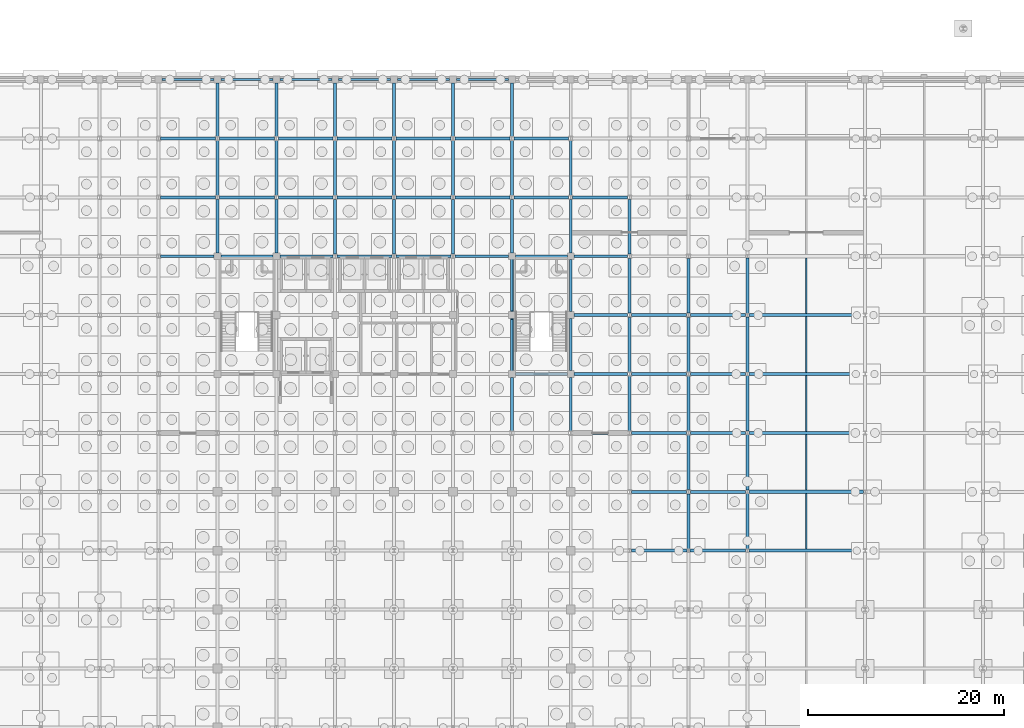
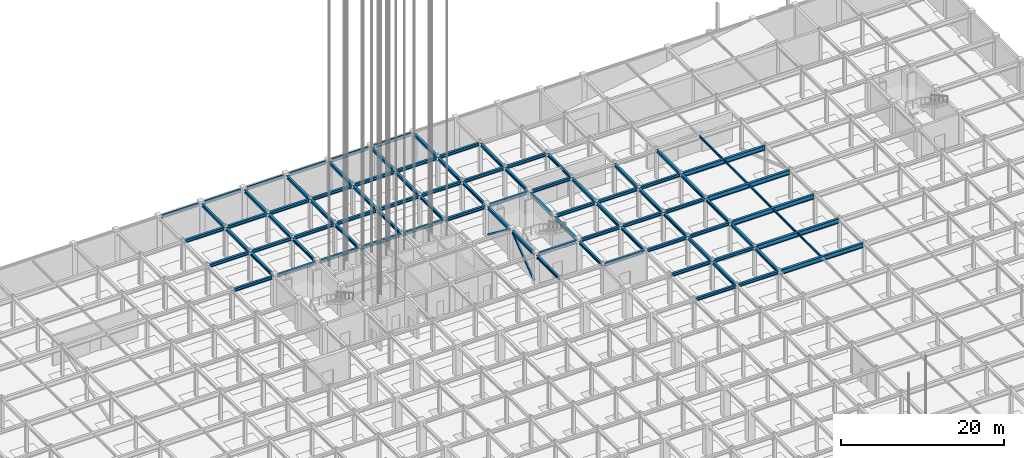
# One storey, part 39 of 69: 93 beams, 2 members.
"""IFC4 building model written with IfcOpenShell, lengths in metres."""

from ifc_helpers import new_model, si_unit, direction, frame, origin, origin_2d, place, context, subcontext, project, spatial, hollow_rectangle, i_section, extrude, material, material_profile, profile_set, type_object, element, save


model = new_model("IFC4")

# Units and contexts
model_context = context("Model", 3, precision=1e-05, world=origin(), true_north=direction((0.0, 1.0)))
body_context = subcontext(model_context, "Body", "Model", "MODEL_VIEW")
ifc_project = project(units=[si_unit("LENGTHUNIT", "METRE"), si_unit("AREAUNIT", "SQUARE_METRE"), si_unit("VOLUMEUNIT", "CUBIC_METRE"), si_unit("PLANEANGLEUNIT", "RADIAN"), si_unit("MASSUNIT", "GRAM", prefix="KILO")], contexts=[model_context])

# Site, building, storey
site_placement = place(None, origin())
site = spatial("IfcSite", under=ifc_project, at=site_placement, CompositionType="ELEMENT")
building_placement = place(site_placement, origin())
building = spatial("IfcBuilding", under=site, at=building_placement, Name="Zlatovratsky Civic Hall", CompositionType="ELEMENT")
storey_placement = place(building_placement, frame((0.0, 0.0, -4.800048828125)))
storey = spatial("IfcBuildingStorey", under=building, at=storey_placement, Name="B1", CompositionType="ELEMENT", Elevation=-4.800048828125)

# Beams
ifc_material = material(Name="Steel S355", Category="steel")
ifc_material_profile_1 = material_profile(ifc_material, i_section(OverallWidth=0.320068359375, OverallDepth=0.68310546875, WebThickness=0.012939453125, FlangeThickness=0.01904296875, FilletRadius=0.02587890625, at=origin_2d()), Name="70Sh1")
ifc_profile_set_1 = profile_set([ifc_material_profile_1], Name="Steel S355")
beam_type_1 = type_object("IfcBeamType", Name="Beam_HallGirder_70Sh1", PredefinedType="BEAM", material=ifc_profile_set_1)
for number, where, z_axis, x_axis, name in (
    (1, (120.175048828125, 66.0, 4.138427734375), (1.0, 0.0, 0.0), (0.0, 1.0, 0.0), "BM-0206"),
    (2, (120.175048828125, 72.0, 4.138427734375), (1.0, 0.0, 0.0), (0.0, 1.0, 0.0), "BM-0228"),
    (3, (120.175048828125, 78.0, 4.138427734375), (1.0, 0.0, 0.0), (0.0, 1.0, 0.0), "BM-0250"),
    (4, (120.175048828125, 84.0, 4.138427734375), (1.0, 0.0, 0.0), (0.0, 1.0, 0.0), "BM-0272"),
    (5, (120.175048828125, 90.0, 4.138427734375), (1.0, 0.0, 0.0), (0.0, 1.0, 0.0), "BM-0291"),
):
    element("IfcBeam", number, at=place(storey_placement, frame(where, z_axis=z_axis, x_axis=x_axis)), inside=storey, type_object=beam_type_1, Name=name, PredefinedType="BEAM", context=body_context, shape_type="SweptSolid", body=[
        extrude(i_section(OverallWidth=0.320068359375, OverallDepth=0.68310546875, WebThickness=0.012939453125, FlangeThickness=0.01904296875, FilletRadius=0.02587890625, at=origin_2d()), origin(), (0.0, 0.0, 1.0), 11.64990234375),
    ])
ifc_material_profile_2 = material_profile(ifc_material, i_section(OverallWidth=0.198974609375, OverallDepth=0.491943359375, WebThickness=0.0087890625, FlangeThickness=0.011962890625, FilletRadius=0.01611328125, at=origin_2d()), Name="50B1")
ifc_profile_set_2 = profile_set([ifc_material_profile_2], Name="Steel S355")
beam_type_2 = type_object("IfcBeamType", Name="Beam_Spandrel_50B1", PredefinedType="SPANDREL", material=ifc_profile_set_2)
for number, where, z_axis, x_axis, name in (
    (6, (60.35009765625, 114.0, 4.234130859375), (1.0, 0.0, 0.0), (0.0, 1.0, 0.0), "BM-0368"),
    (7, (66.35009765625, 114.0, 4.234130859375), (1.0, 0.0, 0.0), (0.0, 1.0, 0.0), "BM-0369"),
    (8, (72.35009765625, 114.0, 4.234130859375), (1.0, 0.0, 0.0), (0.0, 1.0, 0.0), "BM-0370"),
    (9, (78.35009765625, 114.0, 4.234130859375), (1.0, 0.0, 0.0), (0.0, 1.0, 0.0), "BM-0371"),
    (10, (84.35009765625, 114.0, 4.234130859375), (1.0, 0.0, 0.0), (0.0, 1.0, 0.0), "BM-0372"),
    (11, (90.35009765625, 114.0, 4.234130859375), (1.0, 0.0, 0.0), (0.0, 1.0, 0.0), "BM-0373"),
):
    element("IfcBeam", number, at=place(storey_placement, frame(where, z_axis=z_axis, x_axis=x_axis)), inside=storey, type_object=beam_type_2, Name=name, PredefinedType="SPANDREL", context=body_context, shape_type="SweptSolid", body=[
        extrude(i_section(OverallWidth=0.198974609375, OverallDepth=0.491943359375, WebThickness=0.0087890625, FlangeThickness=0.011962890625, FilletRadius=0.01611328125, at=origin_2d()), origin(), (0.0, 0.0, 1.0), 5.2998046875),
    ])
ifc_material_profile_3 = material_profile(ifc_material, i_section(OverallWidth=0.300048828125, OverallDepth=0.43994140625, WebThickness=0.010986328125, FlangeThickness=0.01806640625, FilletRadius=0.02197265625, at=origin_2d()), Name="45Sh1")
ifc_profile_set_3 = profile_set([ifc_material_profile_3], Name="Steel S355")
beam_type_3 = type_object("IfcBeamType", Name="Beam_TowerLow_45Sh1", PredefinedType="BEAM", material=ifc_profile_set_3)
for number, where, z_axis, x_axis, name in (
    (12, (108.175048828125, 66.0, 4.260009765625), (1.0, 0.0, 0.0), (0.0, 1.0, 0.0), "BM-0204"),
    (13, (114.175048828125, 66.0, 4.260009765625), (1.0, 0.0, 0.0), (0.0, 1.0, 0.0), "BM-0205"),
):
    element("IfcBeam", number, at=place(storey_placement, frame(where, z_axis=z_axis, x_axis=x_axis)), inside=storey, type_object=beam_type_3, Name=name, PredefinedType="BEAM", context=body_context, shape_type="SweptSolid", body=[
        extrude(i_section(OverallWidth=0.300048828125, OverallDepth=0.43994140625, WebThickness=0.010986328125, FlangeThickness=0.01806640625, FilletRadius=0.02197265625, at=origin_2d()), origin(), (0.0, 0.0, 1.0), 5.64990234375),
    ])
beam_1_placement = place(storey_placement, frame((108.20458984375, 72.0, 4.260009765625), z_axis=(1.0, 0.0, 0.0), x_axis=(0.0, 1.0, 0.0)))
element("IfcBeam", 14, at=beam_1_placement, inside=storey, type_object=beam_type_3, Name="BM-0226", PredefinedType="BEAM", context=body_context, shape_type="SweptSolid", body=[
    extrude(i_section(OverallWidth=0.300048828125, OverallDepth=0.43994140625, WebThickness=0.010986328125, FlangeThickness=0.01806640625, FilletRadius=0.02197265625, at=origin_2d()), origin(), (0.0, 0.0, 1.0), 5.5908203125),
])
beam_2_placement = place(storey_placement, frame((114.20458984375, 72.0, 4.260009765625), z_axis=(1.0, 0.0, 0.0), x_axis=(0.0, 1.0, 0.0)))
element("IfcBeam", 15, at=beam_2_placement, inside=storey, type_object=beam_type_3, Name="BM-0227", PredefinedType="BEAM", context=body_context, shape_type="SweptSolid", body=[
    extrude(i_section(OverallWidth=0.300048828125, OverallDepth=0.43994140625, WebThickness=0.010986328125, FlangeThickness=0.01806640625, FilletRadius=0.02197265625, at=origin_2d()), origin(), (0.0, 0.0, 1.0), 5.620361328125),
])
for number, where, z_axis, x_axis, name in (
    (16, (102.20458984375, 78.0, 4.260009765625), (1.0, 0.0, 0.0), (0.0, 1.0, 0.0), "BM-0247"),
    (17, (108.20458984375, 78.0, 4.260009765625), (1.0, 0.0, 0.0), (0.0, 1.0, 0.0), "BM-0248"),
):
    element("IfcBeam", number, at=place(storey_placement, frame(where, z_axis=z_axis, x_axis=x_axis)), inside=storey, type_object=beam_type_3, Name=name, PredefinedType="BEAM", context=body_context, shape_type="SweptSolid", body=[
        extrude(i_section(OverallWidth=0.300048828125, OverallDepth=0.43994140625, WebThickness=0.010986328125, FlangeThickness=0.01806640625, FilletRadius=0.02197265625, at=origin_2d()), origin(), (0.0, 0.0, 1.0), 5.5908203125),
    ])
beam_3_placement = place(storey_placement, frame((114.20458984375, 78.0, 4.260009765625), z_axis=(1.0, 0.0, 0.0), x_axis=(0.0, 1.0, 0.0)))
element("IfcBeam", 18, at=beam_3_placement, inside=storey, type_object=beam_type_3, Name="BM-0249", PredefinedType="BEAM", context=body_context, shape_type="SweptSolid", body=[
    extrude(i_section(OverallWidth=0.300048828125, OverallDepth=0.43994140625, WebThickness=0.010986328125, FlangeThickness=0.01806640625, FilletRadius=0.02197265625, at=origin_2d()), origin(), (0.0, 0.0, 1.0), 5.620361328125),
])
beam_4_placement = place(storey_placement, frame((96.35009765625, 84.0, 4.260009765625), z_axis=(1.0, 0.0, 0.0), x_axis=(0.0, 1.0, 0.0)))
element("IfcBeam", 19, at=beam_4_placement, inside=storey, type_object=beam_type_3, Name="BM-0268", PredefinedType="BEAM", context=body_context, shape_type="SweptSolid", body=[
    extrude(i_section(OverallWidth=0.300048828125, OverallDepth=0.43994140625, WebThickness=0.010986328125, FlangeThickness=0.01806640625, FilletRadius=0.02197265625, at=origin_2d()), origin(), (0.0, 0.0, 1.0), 5.2998046875),
])
beam_5_placement = place(storey_placement, frame((102.35009765625, 84.0, 4.260009765625), z_axis=(1.0, 0.0, 0.0), x_axis=(0.0, 1.0, 0.0)))
element("IfcBeam", 20, at=beam_5_placement, inside=storey, type_object=beam_type_3, Name="BM-0269", PredefinedType="BEAM", context=body_context, shape_type="SweptSolid", body=[
    extrude(i_section(OverallWidth=0.300048828125, OverallDepth=0.43994140625, WebThickness=0.010986328125, FlangeThickness=0.01806640625, FilletRadius=0.02197265625, at=origin_2d()), origin(), (0.0, 0.0, 1.0), 5.4453125),
])
beam_6_placement = place(storey_placement, frame((108.20458984375, 84.0, 4.260009765625), z_axis=(1.0, 0.0, 0.0), x_axis=(0.0, 1.0, 0.0)))
element("IfcBeam", 21, at=beam_6_placement, inside=storey, type_object=beam_type_3, Name="BM-0270", PredefinedType="BEAM", context=body_context, shape_type="SweptSolid", body=[
    extrude(i_section(OverallWidth=0.300048828125, OverallDepth=0.43994140625, WebThickness=0.010986328125, FlangeThickness=0.01806640625, FilletRadius=0.02197265625, at=origin_2d()), origin(), (0.0, 0.0, 1.0), 5.5908203125),
])
beam_7_placement = place(storey_placement, frame((114.20458984375, 84.0, 4.260009765625), z_axis=(1.0, 0.0, 0.0), x_axis=(0.0, 1.0, 0.0)))
element("IfcBeam", 22, at=beam_7_placement, inside=storey, type_object=beam_type_3, Name="BM-0271", PredefinedType="BEAM", context=body_context, shape_type="SweptSolid", body=[
    extrude(i_section(OverallWidth=0.300048828125, OverallDepth=0.43994140625, WebThickness=0.010986328125, FlangeThickness=0.01806640625, FilletRadius=0.02197265625, at=origin_2d()), origin(), (0.0, 0.0, 1.0), 5.620361328125),
])
beam_8_placement = place(storey_placement, frame((102.35009765625, 90.0, 4.260009765625), z_axis=(1.0, 0.0, 0.0), x_axis=(0.0, 1.0, 0.0)))
element("IfcBeam", 23, at=beam_8_placement, inside=storey, type_object=beam_type_3, Name="BM-0288", PredefinedType="BEAM", context=body_context, shape_type="SweptSolid", body=[
    extrude(i_section(OverallWidth=0.300048828125, OverallDepth=0.43994140625, WebThickness=0.010986328125, FlangeThickness=0.01806640625, FilletRadius=0.02197265625, at=origin_2d()), origin(), (0.0, 0.0, 1.0), 5.4453125),
])
beam_9_placement = place(storey_placement, frame((108.20458984375, 90.0, 4.260009765625), z_axis=(1.0, 0.0, 0.0), x_axis=(0.0, 1.0, 0.0)))
element("IfcBeam", 24, at=beam_9_placement, inside=storey, type_object=beam_type_3, Name="BM-0289", PredefinedType="BEAM", context=body_context, shape_type="SweptSolid", body=[
    extrude(i_section(OverallWidth=0.300048828125, OverallDepth=0.43994140625, WebThickness=0.010986328125, FlangeThickness=0.01806640625, FilletRadius=0.02197265625, at=origin_2d()), origin(), (0.0, 0.0, 1.0), 5.5908203125),
])
beam_10_placement = place(storey_placement, frame((114.20458984375, 90.0, 4.260009765625), z_axis=(1.0, 0.0, 0.0), x_axis=(0.0, 1.0, 0.0)))
element("IfcBeam", 25, at=beam_10_placement, inside=storey, type_object=beam_type_3, Name="BM-0290", PredefinedType="BEAM", context=body_context, shape_type="SweptSolid", body=[
    extrude(i_section(OverallWidth=0.300048828125, OverallDepth=0.43994140625, WebThickness=0.010986328125, FlangeThickness=0.01806640625, FilletRadius=0.02197265625, at=origin_2d()), origin(), (0.0, 0.0, 1.0), 5.620361328125),
])
beam_11_placement = place(storey_placement, frame((60.20458984375, 96.0, 4.260009765625), z_axis=(1.0, 0.0, 0.0), x_axis=(0.0, 1.0, 0.0)))
element("IfcBeam", 26, at=beam_11_placement, inside=storey, type_object=beam_type_3, Name="BM-0302", PredefinedType="BEAM", context=body_context, shape_type="SweptSolid", body=[
    extrude(i_section(OverallWidth=0.300048828125, OverallDepth=0.43994140625, WebThickness=0.010986328125, FlangeThickness=0.01806640625, FilletRadius=0.02197265625, at=origin_2d()), origin(), (0.0, 0.0, 1.0), 5.4453125),
])
beam_12_placement = place(storey_placement, frame((66.35009765625, 96.0, 4.260009765625), z_axis=(1.0, 0.0, 0.0), x_axis=(0.0, 1.0, 0.0)))
element("IfcBeam", 27, at=beam_12_placement, inside=storey, type_object=beam_type_3, Name="BM-0303", PredefinedType="BEAM", context=body_context, shape_type="SweptSolid", body=[
    extrude(i_section(OverallWidth=0.300048828125, OverallDepth=0.43994140625, WebThickness=0.010986328125, FlangeThickness=0.01806640625, FilletRadius=0.02197265625, at=origin_2d()), origin(), (0.0, 0.0, 1.0), 5.2998046875),
])
beam_13_placement = place(storey_placement, frame((72.35009765625, 96.0, 4.260009765625), z_axis=(1.0, 0.0, 0.0), x_axis=(0.0, 1.0, 0.0)))
element("IfcBeam", 28, at=beam_13_placement, inside=storey, type_object=beam_type_3, Name="BM-0304", PredefinedType="BEAM", context=body_context, shape_type="SweptSolid", body=[
    extrude(i_section(OverallWidth=0.300048828125, OverallDepth=0.43994140625, WebThickness=0.010986328125, FlangeThickness=0.01806640625, FilletRadius=0.02197265625, at=origin_2d()), origin(), (0.0, 0.0, 1.0), 5.4453125),
])
for number, where, z_axis, x_axis, name in (
    (29, (78.20458984375, 96.0, 4.260009765625), (1.0, 0.0, 0.0), (0.0, 1.0, 0.0), "BM-0305"),
    (30, (84.20458984375, 96.0, 4.260009765625), (1.0, 0.0, 0.0), (0.0, 1.0, 0.0), "BM-0306"),
):
    element("IfcBeam", number, at=place(storey_placement, frame(where, z_axis=z_axis, x_axis=x_axis)), inside=storey, type_object=beam_type_3, Name=name, PredefinedType="BEAM", context=body_context, shape_type="SweptSolid", body=[
        extrude(i_section(OverallWidth=0.300048828125, OverallDepth=0.43994140625, WebThickness=0.010986328125, FlangeThickness=0.01806640625, FilletRadius=0.02197265625, at=origin_2d()), origin(), (0.0, 0.0, 1.0), 5.5908203125),
    ])
beam_14_placement = place(storey_placement, frame((90.20458984375, 96.0, 4.260009765625), z_axis=(1.0, 0.0, 0.0), x_axis=(0.0, 1.0, 0.0)))
element("IfcBeam", 31, at=beam_14_placement, inside=storey, type_object=beam_type_3, Name="BM-0307", PredefinedType="BEAM", context=body_context, shape_type="SweptSolid", body=[
    extrude(i_section(OverallWidth=0.300048828125, OverallDepth=0.43994140625, WebThickness=0.010986328125, FlangeThickness=0.01806640625, FilletRadius=0.02197265625, at=origin_2d()), origin(), (0.0, 0.0, 1.0), 5.4453125),
])
beam_15_placement = place(storey_placement, frame((96.35009765625, 96.0, 4.260009765625), z_axis=(1.0, 0.0, 0.0), x_axis=(0.0, 1.0, 0.0)))
element("IfcBeam", 32, at=beam_15_placement, inside=storey, type_object=beam_type_3, Name="BM-0308", PredefinedType="BEAM", context=body_context, shape_type="SweptSolid", body=[
    extrude(i_section(OverallWidth=0.300048828125, OverallDepth=0.43994140625, WebThickness=0.010986328125, FlangeThickness=0.01806640625, FilletRadius=0.02197265625, at=origin_2d()), origin(), (0.0, 0.0, 1.0), 5.2998046875),
])
beam_16_placement = place(storey_placement, frame((102.35009765625, 96.0, 4.260009765625), z_axis=(1.0, 0.0, 0.0), x_axis=(0.0, 1.0, 0.0)))
element("IfcBeam", 33, at=beam_16_placement, inside=storey, type_object=beam_type_3, Name="BM-0309", PredefinedType="BEAM", context=body_context, shape_type="SweptSolid", body=[
    extrude(i_section(OverallWidth=0.300048828125, OverallDepth=0.43994140625, WebThickness=0.010986328125, FlangeThickness=0.01806640625, FilletRadius=0.02197265625, at=origin_2d()), origin(), (0.0, 0.0, 1.0), 5.4453125),
])
for number, where, z_axis, x_axis, name in (
    (34, (60.20458984375, 102.0, 4.260009765625), (1.0, 0.0, 0.0), (0.0, 1.0, 0.0), "BM-0324"),
    (35, (66.20458984375, 102.0, 4.260009765625), (1.0, 0.0, 0.0), (0.0, 1.0, 0.0), "BM-0325"),
    (36, (72.20458984375, 102.0, 4.260009765625), (1.0, 0.0, 0.0), (0.0, 1.0, 0.0), "BM-0326"),
    (37, (78.20458984375, 102.0, 4.260009765625), (1.0, 0.0, 0.0), (0.0, 1.0, 0.0), "BM-0327"),
    (38, (84.20458984375, 102.0, 4.260009765625), (1.0, 0.0, 0.0), (0.0, 1.0, 0.0), "BM-0328"),
    (39, (90.20458984375, 102.0, 4.260009765625), (1.0, 0.0, 0.0), (0.0, 1.0, 0.0), "BM-0329"),
    (40, (96.20458984375, 102.0, 4.260009765625), (1.0, 0.0, 0.0), (0.0, 1.0, 0.0), "BM-0330"),
    (41, (102.20458984375, 102.0, 4.260009765625), (1.0, 0.0, 0.0), (0.0, 1.0, 0.0), "BM-0331"),
    (42, (60.20458984375, 108.0, 4.260009765625), (1.0, 0.0, 0.0), (0.0, 1.0, 0.0), "BM-0346"),
    (43, (66.20458984375, 108.0, 4.260009765625), (1.0, 0.0, 0.0), (0.0, 1.0, 0.0), "BM-0347"),
    (44, (72.20458984375, 108.0, 4.260009765625), (1.0, 0.0, 0.0), (0.0, 1.0, 0.0), "BM-0348"),
    (45, (78.20458984375, 108.0, 4.260009765625), (1.0, 0.0, 0.0), (0.0, 1.0, 0.0), "BM-0349"),
    (46, (84.20458984375, 108.0, 4.260009765625), (1.0, 0.0, 0.0), (0.0, 1.0, 0.0), "BM-0350"),
    (47, (90.20458984375, 108.0, 4.260009765625), (1.0, 0.0, 0.0), (0.0, 1.0, 0.0), "BM-0351"),
    (48, (96.20458984375, 108.0, 4.260009765625), (1.0, 0.0, 0.0), (0.0, 1.0, 0.0), "BM-0352"),
):
    element("IfcBeam", number, at=place(storey_placement, frame(where, z_axis=z_axis, x_axis=x_axis)), inside=storey, type_object=beam_type_3, Name=name, PredefinedType="BEAM", context=body_context, shape_type="SweptSolid", body=[
        extrude(i_section(OverallWidth=0.300048828125, OverallDepth=0.43994140625, WebThickness=0.010986328125, FlangeThickness=0.01806640625, FilletRadius=0.02197265625, at=origin_2d()), origin(), (0.0, 0.0, 1.0), 5.5908203125),
    ])
beam_17_placement = place(storey_placement, frame((66.0, 96.35009765625, 4.260009765625), z_axis=(0.0, 1.0, 0.0), x_axis=(-1.0, 0.0, 0.0)))
element("IfcBeam", 49, at=beam_17_placement, inside=storey, type_object=beam_type_3, Name="BM-0531", PredefinedType="BEAM", context=body_context, shape_type="SweptSolid", body=[
    extrude(i_section(OverallWidth=0.300048828125, OverallDepth=0.43994140625, WebThickness=0.010986328125, FlangeThickness=0.01806640625, FilletRadius=0.02197265625, at=origin_2d()), origin(), (0.0, 0.0, 1.0), 5.435302734375),
])
beam_18_placement = place(storey_placement, frame((66.0, 102.214599609375, 4.260009765625), z_axis=(0.0, 1.0, 0.0), x_axis=(-1.0, 0.0, 0.0)))
element("IfcBeam", 50, at=beam_18_placement, inside=storey, type_object=beam_type_3, Name="BM-0532", PredefinedType="BEAM", context=body_context, shape_type="SweptSolid", body=[
    extrude(i_section(OverallWidth=0.300048828125, OverallDepth=0.43994140625, WebThickness=0.010986328125, FlangeThickness=0.01806640625, FilletRadius=0.02197265625, at=origin_2d()), origin(), (0.0, 0.0, 1.0), 5.57080078125),
])
for number, where, z_axis, x_axis, name in (
    (51, (66.0, 108.214599609375, 4.260009765625), (0.0, 1.0, 0.0), (-1.0, 0.0, 0.0), "BM-0533"),
    (52, (72.0, 96.35009765625, 4.260009765625), (0.0, 1.0, 0.0), (-1.0, 0.0, 0.0), "BM-0547"),
):
    element("IfcBeam", number, at=place(storey_placement, frame(where, z_axis=z_axis, x_axis=x_axis)), inside=storey, type_object=beam_type_3, Name=name, PredefinedType="BEAM", context=body_context, shape_type="SweptSolid", body=[
        extrude(i_section(OverallWidth=0.300048828125, OverallDepth=0.43994140625, WebThickness=0.010986328125, FlangeThickness=0.01806640625, FilletRadius=0.02197265625, at=origin_2d()), origin(), (0.0, 0.0, 1.0), 5.435302734375),
    ])
beam_19_placement = place(storey_placement, frame((72.0, 102.214599609375, 4.260009765625), z_axis=(0.0, 1.0, 0.0), x_axis=(-1.0, 0.0, 0.0)))
element("IfcBeam", 53, at=beam_19_placement, inside=storey, type_object=beam_type_3, Name="BM-0548", PredefinedType="BEAM", context=body_context, shape_type="SweptSolid", body=[
    extrude(i_section(OverallWidth=0.300048828125, OverallDepth=0.43994140625, WebThickness=0.010986328125, FlangeThickness=0.01806640625, FilletRadius=0.02197265625, at=origin_2d()), origin(), (0.0, 0.0, 1.0), 5.57080078125),
])
beam_20_placement = place(storey_placement, frame((72.0, 108.214599609375, 4.260009765625), z_axis=(0.0, 1.0, 0.0), x_axis=(-1.0, 0.0, 0.0)))
element("IfcBeam", 54, at=beam_20_placement, inside=storey, type_object=beam_type_3, Name="BM-0549", PredefinedType="BEAM", context=body_context, shape_type="SweptSolid", body=[
    extrude(i_section(OverallWidth=0.300048828125, OverallDepth=0.43994140625, WebThickness=0.010986328125, FlangeThickness=0.01806640625, FilletRadius=0.02197265625, at=origin_2d()), origin(), (0.0, 0.0, 1.0), 5.435302734375),
])
for number, where, z_axis, x_axis, name in (
    (55, (78.0, 96.214599609375, 4.260009765625), (0.0, 1.0, 0.0), (-1.0, 0.0, 0.0), "BM-0563"),
    (56, (78.0, 102.214599609375, 4.260009765625), (0.0, 1.0, 0.0), (-1.0, 0.0, 0.0), "BM-0564"),
):
    element("IfcBeam", number, at=place(storey_placement, frame(where, z_axis=z_axis, x_axis=x_axis)), inside=storey, type_object=beam_type_3, Name=name, PredefinedType="BEAM", context=body_context, shape_type="SweptSolid", body=[
        extrude(i_section(OverallWidth=0.300048828125, OverallDepth=0.43994140625, WebThickness=0.010986328125, FlangeThickness=0.01806640625, FilletRadius=0.02197265625, at=origin_2d()), origin(), (0.0, 0.0, 1.0), 5.57080078125),
    ])
beam_21_placement = place(storey_placement, frame((78.0, 108.214599609375, 4.260009765625), z_axis=(0.0, 1.0, 0.0), x_axis=(-1.0, 0.0, 0.0)))
element("IfcBeam", 57, at=beam_21_placement, inside=storey, type_object=beam_type_3, Name="BM-0565", PredefinedType="BEAM", context=body_context, shape_type="SweptSolid", body=[
    extrude(i_section(OverallWidth=0.300048828125, OverallDepth=0.43994140625, WebThickness=0.010986328125, FlangeThickness=0.01806640625, FilletRadius=0.02197265625, at=origin_2d()), origin(), (0.0, 0.0, 1.0), 5.435302734375),
])
for number, where, z_axis, x_axis, name in (
    (58, (84.0, 96.214599609375, 4.260009765625), (0.0, 1.0, 0.0), (-1.0, 0.0, 0.0), "BM-0579"),
    (59, (84.0, 102.214599609375, 4.260009765625), (0.0, 1.0, 0.0), (-1.0, 0.0, 0.0), "BM-0580"),
):
    element("IfcBeam", number, at=place(storey_placement, frame(where, z_axis=z_axis, x_axis=x_axis)), inside=storey, type_object=beam_type_3, Name=name, PredefinedType="BEAM", context=body_context, shape_type="SweptSolid", body=[
        extrude(i_section(OverallWidth=0.300048828125, OverallDepth=0.43994140625, WebThickness=0.010986328125, FlangeThickness=0.01806640625, FilletRadius=0.02197265625, at=origin_2d()), origin(), (0.0, 0.0, 1.0), 5.57080078125),
    ])
beam_22_placement = place(storey_placement, frame((84.0, 108.214599609375, 4.260009765625), z_axis=(0.0, 1.0, 0.0), x_axis=(-1.0, 0.0, 0.0)))
element("IfcBeam", 60, at=beam_22_placement, inside=storey, type_object=beam_type_3, Name="BM-0581", PredefinedType="BEAM", context=body_context, shape_type="SweptSolid", body=[
    extrude(i_section(OverallWidth=0.300048828125, OverallDepth=0.43994140625, WebThickness=0.010986328125, FlangeThickness=0.01806640625, FilletRadius=0.02197265625, at=origin_2d()), origin(), (0.0, 0.0, 1.0), 5.435302734375),
])
for number, where, z_axis, x_axis, name in (
    (61, (90.0, 96.214599609375, 4.260009765625), (0.0, 1.0, 0.0), (-1.0, 0.0, 0.0), "BM-0595"),
    (62, (90.0, 102.214599609375, 4.260009765625), (0.0, 1.0, 0.0), (-1.0, 0.0, 0.0), "BM-0596"),
):
    element("IfcBeam", number, at=place(storey_placement, frame(where, z_axis=z_axis, x_axis=x_axis)), inside=storey, type_object=beam_type_3, Name=name, PredefinedType="BEAM", context=body_context, shape_type="SweptSolid", body=[
        extrude(i_section(OverallWidth=0.300048828125, OverallDepth=0.43994140625, WebThickness=0.010986328125, FlangeThickness=0.01806640625, FilletRadius=0.02197265625, at=origin_2d()), origin(), (0.0, 0.0, 1.0), 5.57080078125),
    ])
for number, where, z_axis, x_axis, name in (
    (63, (90.0, 108.214599609375, 4.260009765625), (0.0, 1.0, 0.0), (-1.0, 0.0, 0.0), "BM-0597"),
    (64, (96.0, 78.214599609375, 4.260009765625), (0.0, 1.0, 0.0), (-1.0, 0.0, 0.0), "BM-0608"),
):
    element("IfcBeam", number, at=place(storey_placement, frame(where, z_axis=z_axis, x_axis=x_axis)), inside=storey, type_object=beam_type_3, Name=name, PredefinedType="BEAM", context=body_context, shape_type="SweptSolid", body=[
        extrude(i_section(OverallWidth=0.300048828125, OverallDepth=0.43994140625, WebThickness=0.010986328125, FlangeThickness=0.01806640625, FilletRadius=0.02197265625, at=origin_2d()), origin(), (0.0, 0.0, 1.0), 5.435302734375),
    ])
for number, where, z_axis, x_axis, name in (
    (65, (96.0, 84.35009765625, 4.260009765625), (0.0, 1.0, 0.0), (-1.0, 0.0, 0.0), "BM-0609"),
    (66, (96.0, 90.35009765625, 4.260009765625), (0.0, 1.0, 0.0), (-1.0, 0.0, 0.0), "BM-0610"),
):
    element("IfcBeam", number, at=place(storey_placement, frame(where, z_axis=z_axis, x_axis=x_axis)), inside=storey, type_object=beam_type_3, Name=name, PredefinedType="BEAM", context=body_context, shape_type="SweptSolid", body=[
        extrude(i_section(OverallWidth=0.300048828125, OverallDepth=0.43994140625, WebThickness=0.010986328125, FlangeThickness=0.01806640625, FilletRadius=0.02197265625, at=origin_2d()), origin(), (0.0, 0.0, 1.0), 5.2998046875),
    ])
beam_23_placement = place(storey_placement, frame((96.0, 96.35009765625, 4.260009765625), z_axis=(0.0, 1.0, 0.0), x_axis=(-1.0, 0.0, 0.0)))
element("IfcBeam", 67, at=beam_23_placement, inside=storey, type_object=beam_type_3, Name="BM-0611", PredefinedType="BEAM", context=body_context, shape_type="SweptSolid", body=[
    extrude(i_section(OverallWidth=0.300048828125, OverallDepth=0.43994140625, WebThickness=0.010986328125, FlangeThickness=0.01806640625, FilletRadius=0.02197265625, at=origin_2d()), origin(), (0.0, 0.0, 1.0), 5.435302734375),
])
beam_24_placement = place(storey_placement, frame((96.0, 102.214599609375, 4.260009765625), z_axis=(0.0, 1.0, 0.0), x_axis=(-1.0, 0.0, 0.0)))
element("IfcBeam", 68, at=beam_24_placement, inside=storey, type_object=beam_type_3, Name="BM-0612", PredefinedType="BEAM", context=body_context, shape_type="SweptSolid", body=[
    extrude(i_section(OverallWidth=0.300048828125, OverallDepth=0.43994140625, WebThickness=0.010986328125, FlangeThickness=0.01806640625, FilletRadius=0.02197265625, at=origin_2d()), origin(), (0.0, 0.0, 1.0), 5.57080078125),
])
for number, where, z_axis, x_axis, name in (
    (69, (96.0, 108.214599609375, 4.260009765625), (0.0, 1.0, 0.0), (-1.0, 0.0, 0.0), "BM-0613"),
    (70, (102.0, 78.214599609375, 4.260009765625), (0.0, 1.0, 0.0), (-1.0, 0.0, 0.0), "BM-0624"),
):
    element("IfcBeam", number, at=place(storey_placement, frame(where, z_axis=z_axis, x_axis=x_axis)), inside=storey, type_object=beam_type_3, Name=name, PredefinedType="BEAM", context=body_context, shape_type="SweptSolid", body=[
        extrude(i_section(OverallWidth=0.300048828125, OverallDepth=0.43994140625, WebThickness=0.010986328125, FlangeThickness=0.01806640625, FilletRadius=0.02197265625, at=origin_2d()), origin(), (0.0, 0.0, 1.0), 5.435302734375),
    ])
for number, where, z_axis, x_axis, name in (
    (71, (102.0, 84.35009765625, 4.260009765625), (0.0, 1.0, 0.0), (-1.0, 0.0, 0.0), "BM-0625"),
    (72, (102.0, 90.35009765625, 4.260009765625), (0.0, 1.0, 0.0), (-1.0, 0.0, 0.0), "BM-0626"),
):
    element("IfcBeam", number, at=place(storey_placement, frame(where, z_axis=z_axis, x_axis=x_axis)), inside=storey, type_object=beam_type_3, Name=name, PredefinedType="BEAM", context=body_context, shape_type="SweptSolid", body=[
        extrude(i_section(OverallWidth=0.300048828125, OverallDepth=0.43994140625, WebThickness=0.010986328125, FlangeThickness=0.01806640625, FilletRadius=0.02197265625, at=origin_2d()), origin(), (0.0, 0.0, 1.0), 5.2998046875),
    ])
beam_25_placement = place(storey_placement, frame((102.0, 96.35009765625, 4.260009765625), z_axis=(0.0, 1.0, 0.0), x_axis=(-1.0, 0.0, 0.0)))
element("IfcBeam", 73, at=beam_25_placement, inside=storey, type_object=beam_type_3, Name="BM-0627", PredefinedType="BEAM", context=body_context, shape_type="SweptSolid", body=[
    extrude(i_section(OverallWidth=0.300048828125, OverallDepth=0.43994140625, WebThickness=0.010986328125, FlangeThickness=0.01806640625, FilletRadius=0.02197265625, at=origin_2d()), origin(), (0.0, 0.0, 1.0), 5.435302734375),
])
for number, where, z_axis, x_axis, name in (
    (74, (102.0, 102.214599609375, 4.260009765625), (0.0, 1.0, 0.0), (-1.0, 0.0, 0.0), "BM-0628"),
    (75, (108.0, 78.214599609375, 4.260009765625), (0.0, 1.0, 0.0), (-1.0, 0.0, 0.0), "BM-0640"),
    (76, (108.0, 84.214599609375, 4.260009765625), (0.0, 1.0, 0.0), (-1.0, 0.0, 0.0), "BM-0641"),
    (77, (108.0, 90.214599609375, 4.260009765625), (0.0, 1.0, 0.0), (-1.0, 0.0, 0.0), "BM-0642"),
    (78, (108.0, 96.214599609375, 4.260009765625), (0.0, 1.0, 0.0), (-1.0, 0.0, 0.0), "BM-0643"),
):
    element("IfcBeam", number, at=place(storey_placement, frame(where, z_axis=z_axis, x_axis=x_axis)), inside=storey, type_object=beam_type_3, Name=name, PredefinedType="BEAM", context=body_context, shape_type="SweptSolid", body=[
        extrude(i_section(OverallWidth=0.300048828125, OverallDepth=0.43994140625, WebThickness=0.010986328125, FlangeThickness=0.01806640625, FilletRadius=0.02197265625, at=origin_2d()), origin(), (0.0, 0.0, 1.0), 5.57080078125),
    ])
beam_26_placement = place(storey_placement, frame((114.0, 66.175048828125, 4.260009765625), z_axis=(0.0, 1.0, 0.0), x_axis=(-1.0, 0.0, 0.0)))
element("IfcBeam", 79, at=beam_26_placement, inside=storey, type_object=beam_type_3, Name="BM-0655", PredefinedType="BEAM", context=body_context, shape_type="SweptSolid", body=[
    extrude(i_section(OverallWidth=0.300048828125, OverallDepth=0.43994140625, WebThickness=0.010986328125, FlangeThickness=0.01806640625, FilletRadius=0.02197265625, at=origin_2d()), origin(), (0.0, 0.0, 1.0), 5.6103515625),
])
for number, where, z_axis, x_axis, name in (
    (80, (114.0, 72.214599609375, 4.260009765625), (0.0, 1.0, 0.0), (-1.0, 0.0, 0.0), "BM-0656"),
    (81, (114.0, 78.214599609375, 4.260009765625), (0.0, 1.0, 0.0), (-1.0, 0.0, 0.0), "BM-0657"),
    (82, (114.0, 84.214599609375, 4.260009765625), (0.0, 1.0, 0.0), (-1.0, 0.0, 0.0), "BM-0658"),
    (83, (114.0, 90.214599609375, 4.260009765625), (0.0, 1.0, 0.0), (-1.0, 0.0, 0.0), "BM-0659"),
):
    element("IfcBeam", number, at=place(storey_placement, frame(where, z_axis=z_axis, x_axis=x_axis)), inside=storey, type_object=beam_type_3, Name=name, PredefinedType="BEAM", context=body_context, shape_type="SweptSolid", body=[
        extrude(i_section(OverallWidth=0.300048828125, OverallDepth=0.43994140625, WebThickness=0.010986328125, FlangeThickness=0.01806640625, FilletRadius=0.02197265625, at=origin_2d()), origin(), (0.0, 0.0, 1.0), 5.57080078125),
    ])
for number, where, z_axis, x_axis, name in (
    (84, (120.0, 66.175048828125, 4.260009765625), (0.0, 1.0, 0.0), (-1.0, 0.0, 0.0), "BM-0672"),
    (85, (120.0, 72.175048828125, 4.260009765625), (0.0, 1.0, 0.0), (-1.0, 0.0, 0.0), "BM-0673"),
    (86, (120.0, 78.175048828125, 4.260009765625), (0.0, 1.0, 0.0), (-1.0, 0.0, 0.0), "BM-0674"),
    (87, (120.0, 84.175048828125, 4.260009765625), (0.0, 1.0, 0.0), (-1.0, 0.0, 0.0), "BM-0675"),
    (88, (120.0, 90.175048828125, 4.260009765625), (0.0, 1.0, 0.0), (-1.0, 0.0, 0.0), "BM-0676"),
):
    element("IfcBeam", number, at=place(storey_placement, frame(where, z_axis=z_axis, x_axis=x_axis)), inside=storey, type_object=beam_type_3, Name=name, PredefinedType="BEAM", context=body_context, shape_type="SweptSolid", body=[
        extrude(i_section(OverallWidth=0.300048828125, OverallDepth=0.43994140625, WebThickness=0.010986328125, FlangeThickness=0.01806640625, FilletRadius=0.02197265625, at=origin_2d()), origin(), (0.0, 0.0, 1.0), 5.64990234375),
    ])

# Members
ifc_material_profile_4 = material_profile(ifc_material, hollow_rectangle(XDim=0.25, YDim=0.25, WallThickness=0.011962890625, at=origin_2d()), Name="SHS 250x250x12")
ifc_profile_set_4 = profile_set([ifc_material_profile_4], Name="Steel S355")
member_type = type_object("IfcMemberType", Name="Brace_Substructure_SHS250", PredefinedType="BRACE", material=ifc_profile_set_4)
for number, where, z_axis, x_axis, name in (
    (89, (96.0, 84.35009765625, 0.25), (0.0, 0.798178475646, 0.602421049612), (-1.0, 0.0, 0.0), "MB-0086"),
    (90, (96.0, 90.35009765625, 4.25), (0.0, 0.798178475646, -0.602421049612), (-1.0, 0.0, 0.0), "MB-0087"),
):
    element("IfcMember", number, at=place(storey_placement, frame(where, z_axis=z_axis, x_axis=x_axis)), inside=storey, type_object=member_type, Name=name, PredefinedType="BRACE", context=body_context, shape_type="SweptSolid", body=[
        extrude(hollow_rectangle(XDim=0.25, YDim=0.25, WallThickness=0.011962890625, at=origin_2d()), origin(), (0.0, 0.0, 1.0), 6.639892578125),
    ])

# Beams
ifc_material_profile_5 = material_profile(ifc_material, i_section(OverallWidth=0.14990234375, OverallDepth=0.300048828125, WebThickness=0.006591796875, FlangeThickness=0.009033203125, FilletRadius=0.012939453125, at=origin_2d()), Name="30B2")
ifc_profile_set_5 = profile_set([ifc_material_profile_5], Name="Steel S355")
beam_type_4 = type_object("IfcBeamType", Name="Joist_Podium_30B2", PredefinedType="JOIST", material=ifc_profile_set_5)
for number, where, z_axis, x_axis, name in (
    (91, (126.0, 66.159912109375, 4.330078125), (0.0, 1.0, 0.0), (-1.0, 0.0, 0.0), "BM-0822"),
    (92, (126.0, 72.159912109375, 4.330078125), (0.0, 1.0, 0.0), (-1.0, 0.0, 0.0), "BM-0828"),
    (93, (126.0, 78.159912109375, 4.330078125), (0.0, 1.0, 0.0), (-1.0, 0.0, 0.0), "BM-0834"),
    (94, (126.0, 84.159912109375, 4.330078125), (0.0, 1.0, 0.0), (-1.0, 0.0, 0.0), "BM-0840"),
    (95, (126.0, 90.159912109375, 4.330078125), (0.0, 1.0, 0.0), (-1.0, 0.0, 0.0), "BM-0848"),
):
    element("IfcBeam", number, at=place(storey_placement, frame(where, z_axis=z_axis, x_axis=x_axis)), inside=storey, type_object=beam_type_4, Name=name, PredefinedType="JOIST", context=body_context, shape_type="SweptSolid", body=[
        extrude(i_section(OverallWidth=0.14990234375, OverallDepth=0.300048828125, WebThickness=0.006591796875, FlangeThickness=0.009033203125, FilletRadius=0.012939453125, at=origin_2d()), origin(), (0.0, 0.0, 1.0), 5.68017578125),
    ])

save(model, "model.ifc")
